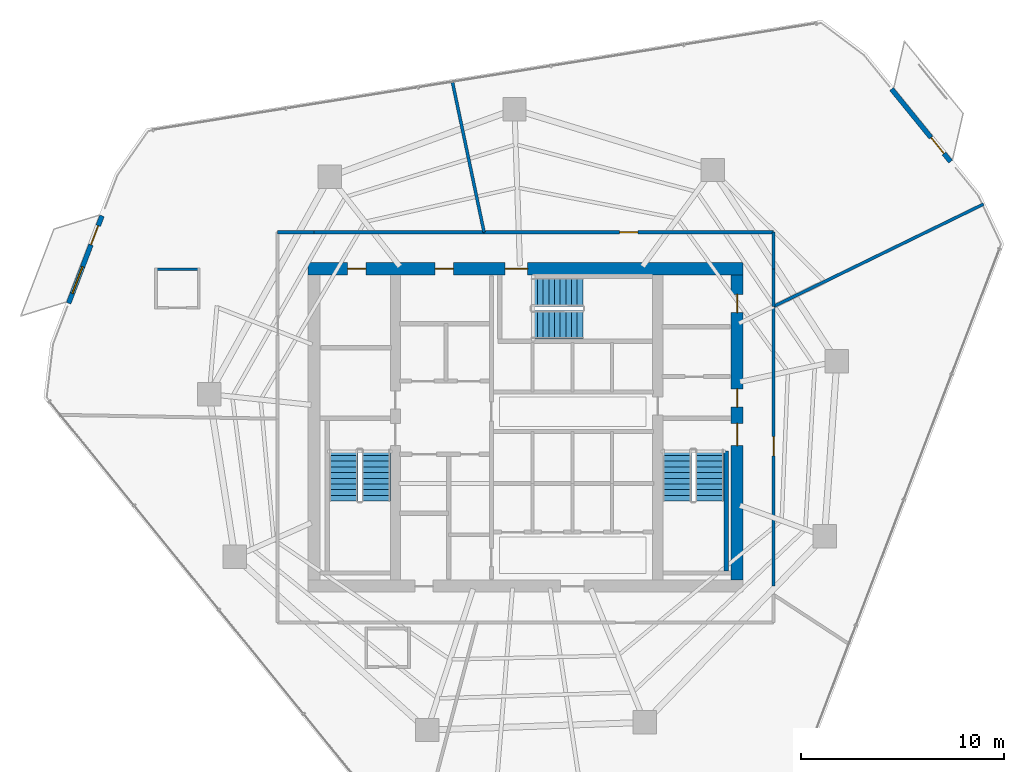
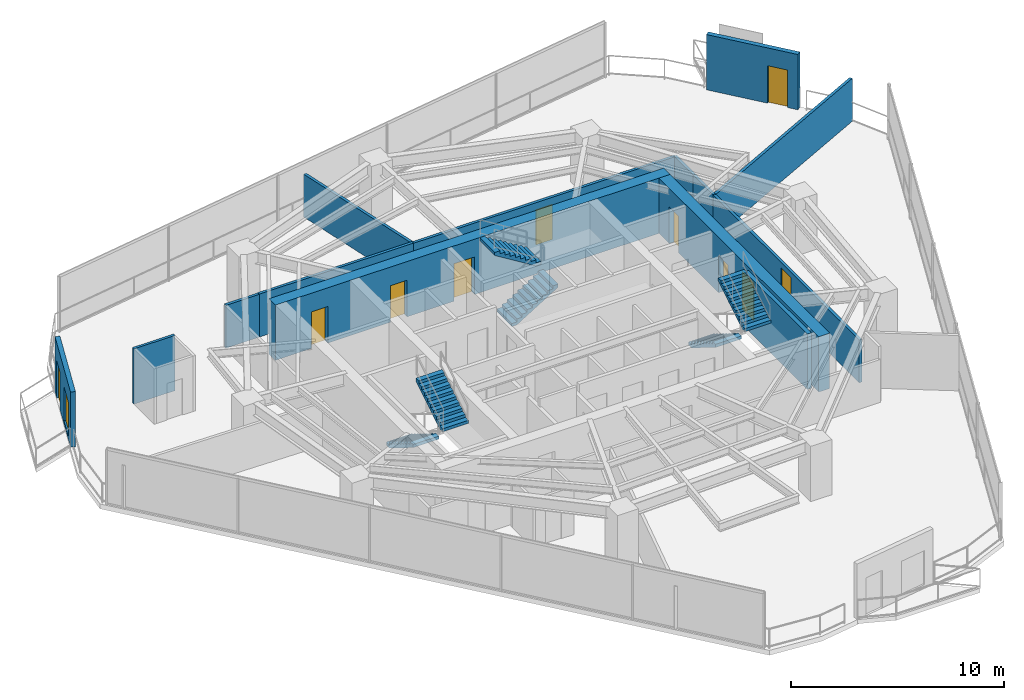
# One storey, part 25 of 27: 14 walls, 10 doors, 6 stair flights, 1 window, 11 openings, 3 elements without a shape of their own.
"""IFC4 building model written with IfcOpenShell, lengths in metres."""

from ifc_helpers import new_model, si_unit, direction, frame, frame_2d, origin, place, context, subcontext, project, spatial, polyline, rectangle, outline, extrude, material, layer, layer_set, type_object, element, fill, aggregate, save


model = new_model("IFC4")

# Units and contexts
model_context = context("Model", 3, precision=1e-05, world=origin(), true_north=direction((0.0, 1.0)))
body_context = subcontext(model_context, "Body", "Model", "MODEL_VIEW")
ifc_project = project(units=[si_unit("LENGTHUNIT", "METRE"), si_unit("AREAUNIT", "SQUARE_METRE"), si_unit("VOLUMEUNIT", "CUBIC_METRE"), si_unit("PLANEANGLEUNIT", "RADIAN"), si_unit("MASSUNIT", "GRAM", prefix="KILO")], contexts=[model_context])

# Site, building, storey
site_placement = place(None, origin())
site = spatial("IfcSite", under=ifc_project, at=site_placement, CompositionType="ELEMENT")
building_placement = place(site_placement, origin())
building = spatial("IfcBuilding", under=site, at=building_placement, Name="Qarnah Convention Tower", CompositionType="ELEMENT")
storey_placement = place(building_placement, frame((0.0, 0.0, 100.5)))
storey = spatial("IfcBuildingStorey", under=building, at=storey_placement, Name="L26", CompositionType="ELEMENT", Elevation=100.5)

# Wall, openings, doors
ifc_material_1 = material(Name="Concrete C60/75", Category="concrete")
ifc_layer_1 = layer(ifc_material_1, 0.60009765625)
ifc_layer_set_1 = layer_set([ifc_layer_1], Name="Concrete C60/75")
wall_type_1 = type_object("IfcWallType", Name="WL-CORE-600", PredefinedType="SHEAR", material=ifc_layer_set_1)
wall_1_placement = place(storey_placement, frame((26.5, 34.199951171875, 0.0), z_axis=(0.0, 0.0, 1.0), x_axis=(1.0, 0.0, 0.0)))
wall_1 = element("IfcWall", 1, at=wall_1_placement, inside=storey, type_object=wall_type_1, Name="L26 core north shear wall", PredefinedType="SHEAR", context=body_context, shape_type="SweptSolid", body=[
    extrude(rectangle(XDim=21.39990234375, YDim=0.60009765625, at=frame_2d((10.699951171875, 0.0))), origin(), (0.0, 0.0, 1.0), 3.169921875),
])
opening_1_placement = place(wall_1_placement, frame((9.699951171875, 0.0, 0.0)))
opening_1 = element("IfcOpeningElement", 2, at=opening_1_placement, cuts=wall_1, Name="Opening D-2603", PredefinedType="OPENING", context=body_context, shape_type="SweptSolid", body=[
    extrude(rectangle(XDim=1.10009765625, YDim=2.14990234375, at=frame_2d((0.550048828125, 1.074951171875))), frame((0.0, 0.31005859375, 0.0), z_axis=(0.0, -1.0, 0.0), x_axis=(1.0, 0.0, 0.0)), (0.0, 0.0, 1.0), 0.6201171875),
])
opening_2_placement = place(wall_1_placement, frame((1.949951171875, 0.0, 0.0)))
opening_2 = element("IfcOpeningElement", 3, at=opening_2_placement, cuts=wall_1, Name="Opening D-2609", PredefinedType="OPENING", context=body_context, shape_type="SweptSolid", body=[
    extrude(rectangle(XDim=0.89990234375, YDim=2.10009765625, at=frame_2d((0.449951171875, 1.050048828125))), frame((0.0, 0.31005859375, 0.0), z_axis=(0.0, -1.0, 0.0), x_axis=(1.0, 0.0, 0.0)), (0.0, 0.0, 1.0), 0.6201171875),
])
opening_3_placement = place(wall_1_placement, frame((6.25, 0.0, 0.0)))
opening_3 = element("IfcOpeningElement", 4, at=opening_3_placement, cuts=wall_1, Name="Opening D-2610", PredefinedType="OPENING", context=body_context, shape_type="SweptSolid", body=[
    extrude(rectangle(XDim=0.89990234375, YDim=2.10009765625, at=frame_2d((0.449951171875, 1.050048828125))), frame((0.0, 0.31005859375, 0.0), z_axis=(0.0, -1.0, 0.0), x_axis=(1.0, 0.0, 0.0)), (0.0, 0.0, 1.0), 0.6201171875),
])
ifc_material_2 = material(Name="Structural steel S355JR", Category="steel")
door_type_1 = type_object("IfcDoorType", Name="DT-RISER-900", OperationType="NOTDEFINED", PredefinedType="DOOR", material=ifc_material_2)
door_1_placement = place(opening_2_placement, origin())
door_1 = element("IfcDoor", 5, at=door_1_placement, inside=storey, type_object=door_type_1, Name="Door D-2609", OperationType="SINGLE_SWING_RIGHT", OverallHeight=2.10009765625, OverallWidth=0.89990234375, PredefinedType="DOOR", context=body_context, shape_type="SweptSolid", body=[
    extrude(rectangle(XDim=0.89990234375, YDim=2.10009765625, at=frame_2d((0.449951171875, 1.050048828125))), frame((0.0, 0.02490234375, 0.0), z_axis=(0.0, -1.0, 0.0), x_axis=(1.0, 0.0, 0.0)), (0.0, 0.0, 1.0), 0.050048828125),
])
fill(opening_2, door_1)
door_2_placement = place(opening_3_placement, origin())
door_2 = element("IfcDoor", 6, at=door_2_placement, inside=storey, type_object=door_type_1, Name="Door D-2610", OperationType="SINGLE_SWING_LEFT", OverallHeight=2.10009765625, OverallWidth=0.89990234375, PredefinedType="DOOR", context=body_context, shape_type="SweptSolid", body=[
    extrude(rectangle(XDim=0.89990234375, YDim=2.10009765625, at=frame_2d((0.449951171875, 1.050048828125))), frame((0.0, 0.02490234375, 0.0), z_axis=(0.0, -1.0, 0.0), x_axis=(1.0, 0.0, 0.0)), (0.0, 0.0, 1.0), 0.050048828125),
])
fill(opening_3, door_2)
door_type_2 = type_object("IfcDoorType", Name="DT-STAIR-1100", OperationType="NOTDEFINED", PredefinedType="DOOR", material=ifc_material_2)
door_3_placement = place(opening_1_placement, origin())
door_3 = element("IfcDoor", 7, at=door_3_placement, inside=storey, type_object=door_type_2, Name="Door D-2603", OperationType="SINGLE_SWING_RIGHT", OverallHeight=2.14990234375, OverallWidth=1.10009765625, PredefinedType="DOOR", context=body_context, shape_type="SweptSolid", body=[
    extrude(rectangle(XDim=1.10009765625, YDim=2.14990234375, at=frame_2d((0.550048828125, 1.074951171875))), frame((0.0, 0.02490234375, 0.0), z_axis=(0.0, -1.0, 0.0), x_axis=(1.0, 0.0, 0.0)), (0.0, 0.0, 1.0), 0.050048828125),
])
fill(opening_1, door_3)

wall_2_placement = place(storey_placement, frame((47.60009765625, 18.89990234375, 0.0), z_axis=(0.0, 0.0, 1.0), x_axis=(0.0, 1.0, 0.0)))
wall_2 = element("IfcWall", 8, at=wall_2_placement, inside=storey, type_object=wall_type_1, Name="L26 core east shear wall", PredefinedType="SHEAR", context=body_context, shape_type="SweptSolid", body=[
    extrude(rectangle(XDim=15.0, YDim=0.60009765625, at=frame_2d((7.5, 0.0))), origin(), (0.0, 0.0, 1.0), 3.169921875),
])
opening_4_placement = place(wall_2_placement, frame((6.60009765625, 0.0, 0.0)))
opening_4 = element("IfcOpeningElement", 9, at=opening_4_placement, cuts=wall_2, Name="Opening D-2602", PredefinedType="OPENING", context=body_context, shape_type="SweptSolid", body=[
    extrude(rectangle(XDim=1.10009765625, YDim=2.14990234375, at=frame_2d((0.550048828125, 1.074951171875))), frame((0.0, 0.31005859375, 0.0), z_axis=(0.0, -1.0, 0.0), x_axis=(1.0, 0.0, 0.0)), (0.0, 0.0, 1.0), 0.6201171875),
])
opening_5_placement = place(wall_2_placement, frame((8.5, 0.0, 0.0)))
opening_5 = element("IfcOpeningElement", 10, at=opening_5_placement, cuts=wall_2, Name="Opening D-2606", PredefinedType="OPENING", context=body_context, shape_type="SweptSolid", body=[
    extrude(rectangle(XDim=0.89990234375, YDim=2.10009765625, at=frame_2d((0.449951171875, 1.050048828125))), frame((0.0, 0.31005859375, 0.0), z_axis=(0.0, -1.0, 0.0), x_axis=(1.0, 0.0, 0.0)), (0.0, 0.0, 1.0), 0.6201171875),
])
opening_6_placement = place(wall_2_placement, frame((13.14990234375, 0.0, 0.0)))
opening_6 = element("IfcOpeningElement", 11, at=opening_6_placement, cuts=wall_2, Name="Opening D-2612", PredefinedType="OPENING", context=body_context, shape_type="SweptSolid", body=[
    extrude(rectangle(XDim=0.89990234375, YDim=2.10009765625, at=frame_2d((0.449951171875, 1.050048828125))), frame((0.0, 0.31005859375, 0.0), z_axis=(0.0, -1.0, 0.0), x_axis=(1.0, 0.0, 0.0)), (0.0, 0.0, 1.0), 0.6201171875),
])
door_4_placement = place(opening_5_placement, origin())
door_4 = element("IfcDoor", 12, at=door_4_placement, inside=storey, type_object=door_type_1, Name="Door D-2606", OperationType="SINGLE_SWING_LEFT", OverallHeight=2.10009765625, OverallWidth=0.89990234375, PredefinedType="DOOR", context=body_context, shape_type="SweptSolid", body=[
    extrude(rectangle(XDim=0.89990234375, YDim=2.10009765625, at=frame_2d((0.449951171875, 1.050048828125))), frame((0.0, 0.02490234375, 0.0), z_axis=(0.0, -1.0, 0.0), x_axis=(1.0, 0.0, 0.0)), (0.0, 0.0, 1.0), 0.050048828125),
])
fill(opening_5, door_4)
door_5_placement = place(opening_6_placement, origin())
door_5 = element("IfcDoor", 13, at=door_5_placement, inside=storey, type_object=door_type_1, Name="Door D-2612", OperationType="SINGLE_SWING_LEFT", OverallHeight=2.10009765625, OverallWidth=0.89990234375, PredefinedType="DOOR", context=body_context, shape_type="SweptSolid", body=[
    extrude(rectangle(XDim=0.89990234375, YDim=2.10009765625, at=frame_2d((0.449951171875, 1.050048828125))), frame((0.0, 0.02490234375, 0.0), z_axis=(0.0, -1.0, 0.0), x_axis=(1.0, 0.0, 0.0)), (0.0, 0.0, 1.0), 0.050048828125),
])
fill(opening_6, door_5)
door_6_placement = place(opening_4_placement, origin())
door_6 = element("IfcDoor", 14, at=door_6_placement, inside=storey, type_object=door_type_2, Name="Door D-2602", OperationType="SINGLE_SWING_LEFT", OverallHeight=2.14990234375, OverallWidth=1.10009765625, PredefinedType="DOOR", context=body_context, shape_type="SweptSolid", body=[
    extrude(rectangle(XDim=1.10009765625, YDim=2.14990234375, at=frame_2d((0.550048828125, 1.074951171875))), frame((0.0, 0.02490234375, 0.0), z_axis=(0.0, -1.0, 0.0), x_axis=(1.0, 0.0, 0.0)), (0.0, 0.0, 1.0), 0.050048828125),
])
fill(opening_4, door_6)

# Wall
ifc_layer_2 = layer(ifc_material_1, 0.219970703125)
ifc_layer_set_2 = layer_set([ifc_layer_2], Name="Concrete C60/75")
wall_type_2 = type_object("IfcWallType", Name="WL-CORE-STAIR-220", PredefinedType="SHEAR", material=ifc_layer_set_2)
wall_3_placement = place(storey_placement, frame((47.06005859375, 19.35009765625, 0.0), z_axis=(0.0, 0.0, 1.0), x_axis=(0.0, 1.0, 0.0)))
element("IfcWall", 15, at=wall_3_placement, inside=storey, type_object=wall_type_2, Name="L26 stair shaft shear wall SW-L26-ST2E", PredefinedType="SHEAR", context=body_context, shape_type="SweptSolid", body=[
    extrude(rectangle(XDim=5.89990234375, YDim=0.219970703125, at=frame_2d((2.949951171875, 0.0))), origin(), (0.0, 0.0, 1.0), 3.169921875),
])

# Wall, opening, door
ifc_material_3 = material(Name="Precast concrete C45/55", Category="concrete")
ifc_layer_3 = layer(ifc_material_3, 0.239990234375)
ifc_layer_set_3 = layer_set([ifc_layer_3], Name="Precast concrete C45/55")
wall_type_3 = type_object("IfcWallType", Name="WL-EXT-BAL-240", PredefinedType="SOLIDWALL", material=ifc_layer_set_3)
wall_4_placement = place(storey_placement, frame((55.200927734375, 43.041015625, 0.0), z_axis=(0.0, 0.0, 1.0), x_axis=(0.630882298929, -0.775878550353, 0.0)))
wall_4 = element("IfcWall", 16, at=wall_4_placement, inside=storey, type_object=wall_type_3, Name="L26 loggia threshold wall BAL-L26-C1", PredefinedType="SOLIDWALL", context=body_context, shape_type="SweptSolid", body=[
    extrude(rectangle(XDim=4.60009765625, YDim=0.239990234375, at=frame_2d((2.300048828125, 0.0))), origin(), (0.0, 0.0, 1.0), 3.169921875),
])
opening_7_placement = place(wall_4_placement, frame((3.080078125, 0.0, 0.0)))
opening_7 = element("IfcOpeningElement", 17, at=opening_7_placement, cuts=wall_4, Name="Opening BD-2601", PredefinedType="OPENING", context=body_context, shape_type="SweptSolid", body=[
    extrude(rectangle(XDim=1.0, YDim=2.14990234375, at=frame_2d((0.5, 1.074951171875))), frame((0.0, 0.1298828125, 0.0), z_axis=(0.0, -1.0, 0.0), x_axis=(1.0, 0.0, 0.0)), (0.0, 0.0, 1.0), 0.260009765625),
])
ifc_material_4 = material(Name="Black anodised aluminium", Category="aluminium")
door_type_3 = type_object("IfcDoorType", Name="DT-BAL-1000", OperationType="NOTDEFINED", PredefinedType="DOOR", material=ifc_material_4)
door_7_placement = place(opening_7_placement, origin())
door_7 = element("IfcDoor", 18, at=door_7_placement, inside=storey, type_object=door_type_3, Name="L26 balcony terrace door BAL-L26-C1", OperationType="SINGLE_SWING_LEFT", OverallHeight=2.14990234375, OverallWidth=1.0, PredefinedType="DOOR", context=body_context, shape_type="SweptSolid", body=[
    extrude(rectangle(XDim=1.0, YDim=2.14990234375, at=frame_2d((0.5, 1.074951171875))), frame((0.0, 0.02490234375, 0.0), z_axis=(0.0, -1.0, 0.0), x_axis=(1.0, 0.0, 0.0)), (0.0, 0.0, 1.0), 0.050048828125),
])
fill(opening_7, door_7)

# Wall, openings, door, window
wall_5_placement = place(storey_placement, frame((14.72607421875, 32.509033203125, 0.0), z_axis=(0.0, 0.0, 1.0), x_axis=(0.356491852151, 0.934298431632, 0.0)))
wall_5 = element("IfcWall", 19, at=wall_5_placement, inside=storey, type_object=wall_type_3, Name="L26 loggia threshold wall BAL-L26-C2", PredefinedType="SOLIDWALL", context=body_context, shape_type="SweptSolid", body=[
    extrude(rectangle(XDim=4.60009765625, YDim=0.239990234375, at=frame_2d((2.300048828125, 0.0))), origin(), (0.0, 0.0, 1.0), 3.169921875),
])
opening_8_placement = place(wall_5_placement, frame((3.080078125, 0.0, 0.0)))
opening_8 = element("IfcOpeningElement", 20, at=opening_8_placement, cuts=wall_5, Name="Opening BD-2602", PredefinedType="OPENING", context=body_context, shape_type="SweptSolid", body=[
    extrude(rectangle(XDim=1.0, YDim=2.14990234375, at=frame_2d((0.5, 1.074951171875))), frame((0.0, 0.1298828125, 0.0), z_axis=(0.0, -1.0, 0.0), x_axis=(1.0, 0.0, 0.0)), (0.0, 0.0, 1.0), 0.260009765625),
])
opening_9_placement = place(wall_5_placement, frame((0.52001953125, 0.0, 0.199951171875)))
opening_9 = element("IfcOpeningElement", 21, at=opening_9_placement, cuts=wall_5, Name="Opening WN4", PredefinedType="OPENING", context=body_context, shape_type="SweptSolid", body=[
    extrude(rectangle(XDim=1.39990234375, YDim=1.949951171875, at=frame_2d((0.699951171875, 0.97509765625))), frame((0.0, 0.1298828125, 0.0), z_axis=(0.0, -1.0, 0.0), x_axis=(1.0, 0.0, 0.0)), (0.0, 0.0, 1.0), 0.260009765625),
])
door_8_placement = place(opening_8_placement, origin())
door_8 = element("IfcDoor", 22, at=door_8_placement, inside=storey, type_object=door_type_3, Name="L26 balcony terrace door BAL-L26-C2", OperationType="SINGLE_SWING_RIGHT", OverallHeight=2.14990234375, OverallWidth=1.0, PredefinedType="DOOR", context=body_context, shape_type="SweptSolid", body=[
    extrude(rectangle(XDim=1.0, YDim=2.14990234375, at=frame_2d((0.5, 1.074951171875))), frame((0.0, 0.02490234375, 0.0), z_axis=(0.0, -1.0, 0.0), x_axis=(1.0, 0.0, 0.0)), (0.0, 0.0, 1.0), 0.050048828125),
])
fill(opening_8, door_8)
ifc_material_5 = material(Name="Tempered Low-E dark glass", Category="glass")
window_type = type_object("IfcWindowType", Name="WT-BAL-1400X2000", PartitioningType="SINGLE_PANEL", PredefinedType="WINDOW", material=ifc_material_5)
window_placement = place(opening_9_placement, origin())
window = element("IfcWindow", 23, at=window_placement, inside=storey, type_object=window_type, Name="Window BW-BAL-L26-C2", OverallHeight=1.949951171875, OverallWidth=1.39990234375, PartitioningType="SINGLE_PANEL", PredefinedType="WINDOW", context=body_context, shape_type="SweptSolid", body=[
    extrude(rectangle(XDim=1.39990234375, YDim=1.949951171875, at=frame_2d((0.699951171875, 0.97509765625))), frame((0.0, 0.030029296875, 0.0), z_axis=(0.0, -1.0, 0.0), x_axis=(1.0, 0.0, 0.0)), (0.0, 0.0, 1.0), 0.06005859375),
])
fill(opening_9, window)

# Wall
ifc_material_6 = material(Name="Gypsum partition board")
ifc_layer_4 = layer(ifc_material_6, 0.14990234375)
ifc_layer_set_4 = layer_set([ifc_layer_4], Name="Gypsum partition board")
wall_type_4 = type_object("IfcWallType", Name="WL-SUITE-150", PredefinedType="PARTITIONING", material=ifc_layer_set_4)
wall_6_placement = place(storey_placement, frame((33.592041015625, 43.43896484375, 0.0), z_axis=(0.0, 0.0, 1.0), x_axis=(0.206110827115, -0.978528654126, 0.0)))
element("IfcWall", 24, at=wall_6_placement, inside=storey, type_object=wall_type_4, Name="L26 interior wall IW-L26-R-09", PredefinedType="PARTITIONING", context=body_context, shape_type="SweptSolid", body=[
    extrude(rectangle(XDim=7.602294921875, YDim=0.14990234375, at=frame_2d((3.80126953125, 0.0))), origin(), (0.0, 0.0, 1.0), 2.455078125),
])

# Wall, opening, door
wall_7_placement = place(storey_placement, frame((35.158935546875, 36.0, 0.0), z_axis=(0.0, 0.0, 1.0), x_axis=(1.0, 0.0, 0.0)))
wall_7 = element("IfcWall", 25, at=wall_7_placement, inside=storey, type_object=wall_type_4, Name="L26 interior wall IW-L26-R-10", PredefinedType="PARTITIONING", context=body_context, shape_type="SweptSolid", body=[
    extrude(rectangle(XDim=14.240966796875, YDim=0.14990234375, at=frame_2d((7.12060546875, 0.0))), origin(), (0.0, 0.0, 1.0), 2.455078125),
])
opening_10_placement = place(wall_7_placement, frame((6.669921875, 0.0, 0.0)))
opening_10 = element("IfcOpeningElement", 26, at=opening_10_placement, cuts=wall_7, Name="Opening D-2616", PredefinedType="OPENING", context=body_context, shape_type="SweptSolid", body=[
    extrude(rectangle(XDim=0.89990234375, YDim=2.0, at=frame_2d((0.449951171875, 1.0))), frame((0.0, 0.0849609375, 0.0), z_axis=(0.0, -1.0, 0.0), x_axis=(1.0, 0.0, 0.0)), (0.0, 0.0, 1.0), 0.169921875),
])
door_type_4 = type_object("IfcDoorType", Name="DT-PLANT-900", OperationType="NOTDEFINED", PredefinedType="DOOR", material=ifc_material_2)
door_9_placement = place(opening_10_placement, origin())
door_9 = element("IfcDoor", 27, at=door_9_placement, inside=storey, type_object=door_type_4, Name="Door D-2616", OperationType="SINGLE_SWING_LEFT", OverallHeight=2.0, OverallWidth=0.89990234375, PredefinedType="DOOR", context=body_context, shape_type="SweptSolid", body=[
    extrude(rectangle(XDim=0.89990234375, YDim=2.0, at=frame_2d((0.449951171875, 1.0))), frame((0.0, 0.02490234375, 0.0), z_axis=(0.0, -1.0, 0.0), x_axis=(1.0, 0.0, 0.0)), (0.0, 0.0, 1.0), 0.050048828125),
])
fill(opening_10, door_9)

# Walls
wall_8_placement = place(storey_placement, frame((49.39990234375, 36.0, 0.0), z_axis=(0.0, 0.0, 1.0), x_axis=(0.0, -1.0, 0.0)))
element("IfcWall", 28, at=wall_8_placement, inside=storey, type_object=wall_type_4, Name="L26 interior wall IW-L26-R-11", PredefinedType="PARTITIONING", context=body_context, shape_type="SweptSolid", body=[
    extrude(rectangle(XDim=1.800048828125, YDim=0.14990234375, at=frame_2d((0.89990234375, 0.0))), origin(), (0.0, 0.0, 1.0), 2.455078125),
])
wall_9_placement = place(storey_placement, frame((49.39990234375, 34.199951171875, 0.0), z_axis=(0.0, 0.0, 1.0), x_axis=(0.0, -1.0, 0.0)))
element("IfcWall", 29, at=wall_9_placement, inside=storey, type_object=wall_type_4, Name="L26 interior wall IW-L26-R-12", PredefinedType="PARTITIONING", context=body_context, shape_type="SweptSolid", body=[
    extrude(rectangle(XDim=1.849853515625, YDim=0.14990234375, at=frame_2d((0.9248046875, 0.0))), origin(), (0.0, 0.0, 1.0), 2.455078125),
])
wall_10_placement = place(storey_placement, frame((49.39990234375, 32.35009765625, 0.0), z_axis=(0.0, 0.0, 1.0), x_axis=(0.898929561646, 0.438093190085, 0.0)))
element("IfcWall", 30, at=wall_10_placement, inside=storey, type_object=wall_type_4, Name="L26 interior wall IW-L26-R-13", PredefinedType="PARTITIONING", context=body_context, shape_type="SweptSolid", body=[
    extrude(rectangle(XDim=11.486083984375, YDim=0.14990234375, at=frame_2d((5.7431640625, 0.0))), origin(), (0.0, 0.0, 1.0), 2.455078125),
])
wall_11_placement = place(storey_placement, frame((25.0, 36.0, 0.0), z_axis=(0.0, 0.0, 1.0), x_axis=(1.0, 0.0, 0.0)))
element("IfcWall", 31, at=wall_11_placement, inside=storey, type_object=wall_type_4, Name="L26 interior wall IW-L26-R-16", PredefinedType="PARTITIONING", context=body_context, shape_type="SweptSolid", body=[
    extrude(rectangle(XDim=1.800048828125, YDim=0.14990234375, at=frame_2d((0.89990234375, 0.0))), origin(), (0.0, 0.0, 1.0), 2.455078125),
])
wall_12_placement = place(storey_placement, frame((26.800048828125, 36.0, 0.0), z_axis=(0.0, 0.0, 1.0), x_axis=(1.0, 0.0, 0.0)))
element("IfcWall", 32, at=wall_12_placement, inside=storey, type_object=wall_type_4, Name="L26 interior wall IW-L26-R-17", PredefinedType="PARTITIONING", context=body_context, shape_type="SweptSolid", body=[
    extrude(rectangle(XDim=8.35888671875, YDim=0.14990234375, at=frame_2d((4.179443359375, 0.0))), origin(), (0.0, 0.0, 1.0), 2.467041015625),
])

# Wall, opening, door
wall_13_placement = place(storey_placement, frame((49.39990234375, 32.35009765625, 0.0), z_axis=(0.0, 0.0, 1.0), x_axis=(0.0, -1.0, 0.0)))
wall_13 = element("IfcWall", 33, at=wall_13_placement, inside=storey, type_object=wall_type_4, Name="L26 interior wall IW-L26-R-25", PredefinedType="PARTITIONING", context=body_context, shape_type="SweptSolid", body=[
    extrude(rectangle(XDim=13.75, YDim=0.14990234375, at=frame_2d((6.875, 0.0))), origin(), (0.0, 0.0, 1.0), 2.455078125),
])
opening_11_placement = place(wall_13_placement, frame((6.39990234375, 0.0, 0.0)))
opening_11 = element("IfcOpeningElement", 34, at=opening_11_placement, cuts=wall_13, Name="Opening D-2622", PredefinedType="OPENING", context=body_context, shape_type="SweptSolid", body=[
    extrude(rectangle(XDim=0.949951171875, YDim=2.14990234375, at=frame_2d((0.47509765625, 1.074951171875))), frame((0.0, 0.0849609375, 0.0), z_axis=(0.0, -1.0, 0.0), x_axis=(1.0, 0.0, 0.0)), (0.0, 0.0, 1.0), 0.169921875),
])
ifc_material_7 = material(Name="Oak timber veneer", Category="wood")
door_type_5 = type_object("IfcDoorType", Name="DT-HOTEL-950", OperationType="NOTDEFINED", PredefinedType="DOOR", material=ifc_material_7)
door_10_placement = place(opening_11_placement, origin())
door_10 = element("IfcDoor", 35, at=door_10_placement, inside=storey, type_object=door_type_5, Name="Door D-2622", OperationType="SINGLE_SWING_LEFT", OverallHeight=2.14990234375, OverallWidth=0.949951171875, PredefinedType="DOOR", context=body_context, shape_type="SweptSolid", body=[
    extrude(rectangle(XDim=0.949951171875, YDim=2.14990234375, at=frame_2d((0.47509765625, 1.074951171875))), frame((0.0, 0.02490234375, 0.0), z_axis=(0.0, -1.0, 0.0), x_axis=(1.0, 0.0, 0.0)), (0.0, 0.0, 1.0), 0.050048828125),
])
fill(opening_11, door_10)

# Wall
ifc_layer_5 = layer(ifc_material_6, 0.139892578125)
ifc_layer_set_5 = layer_set([ifc_layer_5], Name="Gypsum partition board")
wall_type_5 = type_object("IfcWallType", Name="WL-WET-140", PredefinedType="PARTITIONING", material=ifc_layer_set_5)
wall_14_placement = place(storey_placement, frame((21.196044921875, 34.18310546875, 0.0), z_axis=(0.0, 0.0, 1.0), x_axis=(-1.0, 0.0, 0.0)))
element("IfcWall", 36, at=wall_14_placement, inside=storey, type_object=wall_type_5, Name="L26 interior wall IW-L26-ENS01-3", PredefinedType="PARTITIONING", context=body_context, shape_type="SweptSolid", body=[
    extrude(rectangle(XDim=2.239990234375, YDim=0.139892578125, at=frame_2d((1.1201171875, 0.0))), origin(), (0.0, 0.0, 1.0), 3.169921875),
])

# Stair, stair flights
ifc_material_8 = material(Name="Concrete C50/60", Category="concrete")
stair_type = type_object("IfcStairType", Name="STR-HTL", PredefinedType="HALF_TURN_STAIR", material=ifc_material_8)
stair_1_placement = place(storey_placement, origin())
stair_1 = element("IfcStair", 37, at=stair_1_placement, inside=storey, type_object=stair_type, Name="L26 Core exit stair ST-1", PredefinedType="HALF_TURN_STAIR")
stair_flight_type = type_object("IfcStairFlightType", Name="FLT-HTL", PredefinedType="STRAIGHT", material=ifc_material_8)
stair_flight_1_placement = place(storey_placement, frame((28.25, 25.300048828125, 0.0), z_axis=(0.0, 0.0, 1.0), x_axis=(0.0, -1.0, 0.0)))
stair_flight_1 = element("IfcStairFlight", 38, at=stair_flight_1_placement, type_object=stair_flight_type, Name="ST-1 flight 1", NumberOfRisers=10, NumberOfTreads=9, PredefinedType="STRAIGHT", RiserHeight=0.1725, TreadLength=0.28, context=body_context, shape_type="SweptSolid", body=[
    extrude(outline(polyline([(0.0, 0.0), (0.0, 0.172607421875), (0.280029296875, 0.172607421875), (0.280029296875, 0.344970703125), (0.56005859375, 0.344970703125), (0.56005859375, 0.517578125), (0.840087890625, 0.517578125), (0.840087890625, 0.68994140625), (1.1201171875, 0.68994140625), (1.1201171875, 0.862548828125), (1.39990234375, 0.862548828125), (1.39990234375, 1.034912109375), (1.679931640625, 1.034912109375), (1.679931640625, 1.20751953125), (1.9599609375, 1.20751953125), (1.9599609375, 1.3798828125), (2.239990234375, 1.3798828125), (2.239990234375, 1.552490234375), (2.52001953125, 1.552490234375), (2.52001953125, 1.72509765625), (2.52001953125, 1.37646484375), (0.285888671875, 0.0), (0.0, 0.0)])), frame((0.0, 0.699951171875, 0.0), z_axis=(0.0, -1.0, 0.0), x_axis=(1.0, 0.0, 0.0)), (0.0, 0.0, 1.0), 1.39990234375),
])
stair_flight_2_placement = place(storey_placement, frame((29.85009765625, 22.780029296875, 1.72509765625), z_axis=(0.0, 0.0, 1.0), x_axis=(0.0, 1.0, 0.0)))
stair_flight_2 = element("IfcStairFlight", 39, at=stair_flight_2_placement, type_object=stair_flight_type, Name="ST-1 flight 2", NumberOfRisers=10, NumberOfTreads=9, PredefinedType="STRAIGHT", RiserHeight=0.1725, TreadLength=0.28, context=body_context, shape_type="SweptSolid", body=[
    extrude(outline(polyline([(0.0, 0.0), (0.0, 0.172607421875), (0.280029296875, 0.172607421875), (0.280029296875, 0.344970703125), (0.56005859375, 0.344970703125), (0.56005859375, 0.517578125), (0.840087890625, 0.517578125), (0.840087890625, 0.68994140625), (1.1201171875, 0.68994140625), (1.1201171875, 0.862548828125), (1.39990234375, 0.862548828125), (1.39990234375, 1.034912109375), (1.679931640625, 1.034912109375), (1.679931640625, 1.20751953125), (1.9599609375, 1.20751953125), (1.9599609375, 1.3798828125), (2.239990234375, 1.3798828125), (2.239990234375, 1.552490234375), (2.52001953125, 1.552490234375), (2.52001953125, 1.72509765625), (2.52001953125, 1.37646484375), (0.285888671875, 0.0), (0.0, 0.0)])), frame((0.0, 0.699951171875, 0.0), z_axis=(0.0, -1.0, 0.0), x_axis=(1.0, 0.0, 0.0)), (0.0, 0.0, 1.0), 1.39990234375),
])
aggregate(stair_1, [stair_flight_1, stair_flight_2])

stair_2_placement = place(storey_placement, origin())
stair_2 = element("IfcStair", 40, at=stair_2_placement, inside=storey, type_object=stair_type, Name="L26 Core exit stair ST-2", PredefinedType="HALF_TURN_STAIR")
stair_flight_3_placement = place(storey_placement, frame((44.64990234375, 25.300048828125, 0.0), z_axis=(0.0, 0.0, 1.0), x_axis=(0.0, -1.0, 0.0)))
stair_flight_3 = element("IfcStairFlight", 41, at=stair_flight_3_placement, type_object=stair_flight_type, Name="ST-2 flight 1", NumberOfRisers=10, NumberOfTreads=9, PredefinedType="STRAIGHT", RiserHeight=0.1725, TreadLength=0.28, context=body_context, shape_type="SweptSolid", body=[
    extrude(outline(polyline([(0.0, 0.0), (0.0, 0.172607421875), (0.280029296875, 0.172607421875), (0.280029296875, 0.344970703125), (0.56005859375, 0.344970703125), (0.56005859375, 0.517578125), (0.840087890625, 0.517578125), (0.840087890625, 0.68994140625), (1.1201171875, 0.68994140625), (1.1201171875, 0.862548828125), (1.39990234375, 0.862548828125), (1.39990234375, 1.034912109375), (1.679931640625, 1.034912109375), (1.679931640625, 1.20751953125), (1.9599609375, 1.20751953125), (1.9599609375, 1.3798828125), (2.239990234375, 1.3798828125), (2.239990234375, 1.552490234375), (2.52001953125, 1.552490234375), (2.52001953125, 1.72509765625), (2.52001953125, 1.37646484375), (0.285888671875, 0.0), (0.0, 0.0)])), frame((0.0, 0.699951171875, 0.0), z_axis=(0.0, -1.0, 0.0), x_axis=(1.0, 0.0, 0.0)), (0.0, 0.0, 1.0), 1.39990234375),
])
stair_flight_4_placement = place(storey_placement, frame((46.25, 22.780029296875, 1.72509765625), z_axis=(0.0, 0.0, 1.0), x_axis=(0.0, 1.0, 0.0)))
stair_flight_4 = element("IfcStairFlight", 42, at=stair_flight_4_placement, type_object=stair_flight_type, Name="ST-2 flight 2", NumberOfRisers=10, NumberOfTreads=9, PredefinedType="STRAIGHT", RiserHeight=0.1725, TreadLength=0.28, context=body_context, shape_type="SweptSolid", body=[
    extrude(outline(polyline([(0.0, 0.0), (0.0, 0.172607421875), (0.280029296875, 0.172607421875), (0.280029296875, 0.344970703125), (0.56005859375, 0.344970703125), (0.56005859375, 0.517578125), (0.840087890625, 0.517578125), (0.840087890625, 0.68994140625), (1.1201171875, 0.68994140625), (1.1201171875, 0.862548828125), (1.39990234375, 0.862548828125), (1.39990234375, 1.034912109375), (1.679931640625, 1.034912109375), (1.679931640625, 1.20751953125), (1.9599609375, 1.20751953125), (1.9599609375, 1.3798828125), (2.239990234375, 1.3798828125), (2.239990234375, 1.552490234375), (2.52001953125, 1.552490234375), (2.52001953125, 1.72509765625), (2.52001953125, 1.37646484375), (0.285888671875, 0.0), (0.0, 0.0)])), frame((0.0, 0.699951171875, 0.0), z_axis=(0.0, -1.0, 0.0), x_axis=(1.0, 0.0, 0.0)), (0.0, 0.0, 1.0), 1.39990234375),
])
aggregate(stair_2, [stair_flight_3, stair_flight_4])

stair_3_placement = place(storey_placement, origin())
stair_3 = element("IfcStair", 43, at=stair_3_placement, inside=storey, type_object=stair_type, Name="L26 Core exit stair ST-3", PredefinedType="HALF_TURN_STAIR")
stair_flight_5_placement = place(storey_placement, frame((37.5, 31.449951171875, 0.0), z_axis=(0.0, 0.0, 1.0), x_axis=(1.0, 0.0, 0.0)))
stair_flight_5 = element("IfcStairFlight", 44, at=stair_flight_5_placement, type_object=stair_flight_type, Name="ST-3 flight 1", NumberOfRisers=10, NumberOfTreads=9, PredefinedType="STRAIGHT", RiserHeight=0.1725, TreadLength=0.28, context=body_context, shape_type="SweptSolid", body=[
    extrude(outline(polyline([(0.0, 0.0), (0.0, 0.172607421875), (0.280029296875, 0.172607421875), (0.280029296875, 0.344970703125), (0.56005859375, 0.344970703125), (0.56005859375, 0.517578125), (0.840087890625, 0.517578125), (0.840087890625, 0.68994140625), (1.1201171875, 0.68994140625), (1.1201171875, 0.862548828125), (1.39990234375, 0.862548828125), (1.39990234375, 1.034912109375), (1.679931640625, 1.034912109375), (1.679931640625, 1.20751953125), (1.9599609375, 1.20751953125), (1.9599609375, 1.3798828125), (2.239990234375, 1.3798828125), (2.239990234375, 1.552490234375), (2.52001953125, 1.552490234375), (2.52001953125, 1.72509765625), (2.52001953125, 1.37646484375), (0.285888671875, 0.0), (0.0, 0.0)])), frame((0.0, 0.699951171875, 0.0), z_axis=(0.0, -1.0, 0.0), x_axis=(1.0, 0.0, 0.0)), (0.0, 0.0, 1.0), 1.39990234375),
])
stair_flight_6_placement = place(storey_placement, frame((40.02001953125, 33.050048828125, 1.72509765625), z_axis=(0.0, 0.0, 1.0), x_axis=(-1.0, 0.0, 0.0)))
stair_flight_6 = element("IfcStairFlight", 45, at=stair_flight_6_placement, type_object=stair_flight_type, Name="ST-3 flight 2", NumberOfRisers=10, NumberOfTreads=9, PredefinedType="STRAIGHT", RiserHeight=0.1725, TreadLength=0.28, context=body_context, shape_type="SweptSolid", body=[
    extrude(outline(polyline([(0.0, 0.0), (0.0, 0.172607421875), (0.280029296875, 0.172607421875), (0.280029296875, 0.344970703125), (0.56005859375, 0.344970703125), (0.56005859375, 0.517578125), (0.840087890625, 0.517578125), (0.840087890625, 0.68994140625), (1.1201171875, 0.68994140625), (1.1201171875, 0.862548828125), (1.39990234375, 0.862548828125), (1.39990234375, 1.034912109375), (1.679931640625, 1.034912109375), (1.679931640625, 1.20751953125), (1.9599609375, 1.20751953125), (1.9599609375, 1.3798828125), (2.239990234375, 1.3798828125), (2.239990234375, 1.552490234375), (2.52001953125, 1.552490234375), (2.52001953125, 1.72509765625), (2.52001953125, 1.37646484375), (0.285888671875, 0.0), (0.0, 0.0)])), frame((0.0, 0.699951171875, 0.0), z_axis=(0.0, -1.0, 0.0), x_axis=(1.0, 0.0, 0.0)), (0.0, 0.0, 1.0), 1.39990234375),
])
aggregate(stair_3, [stair_flight_5, stair_flight_6])

save(model, "model.ifc")
